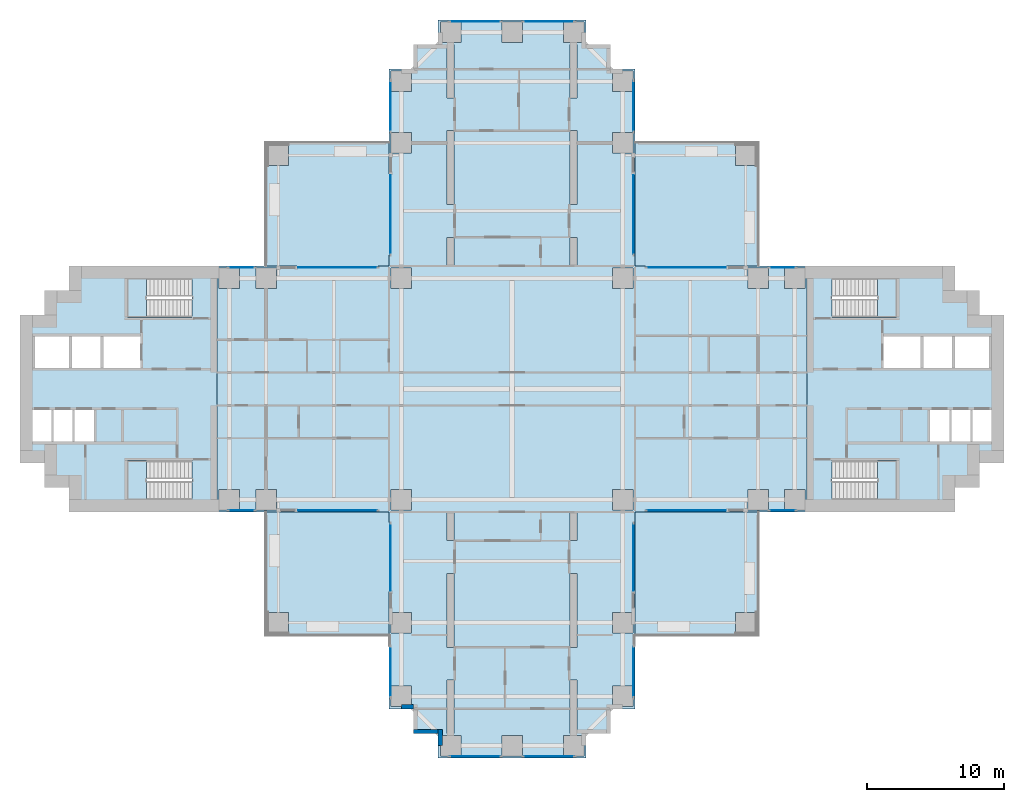
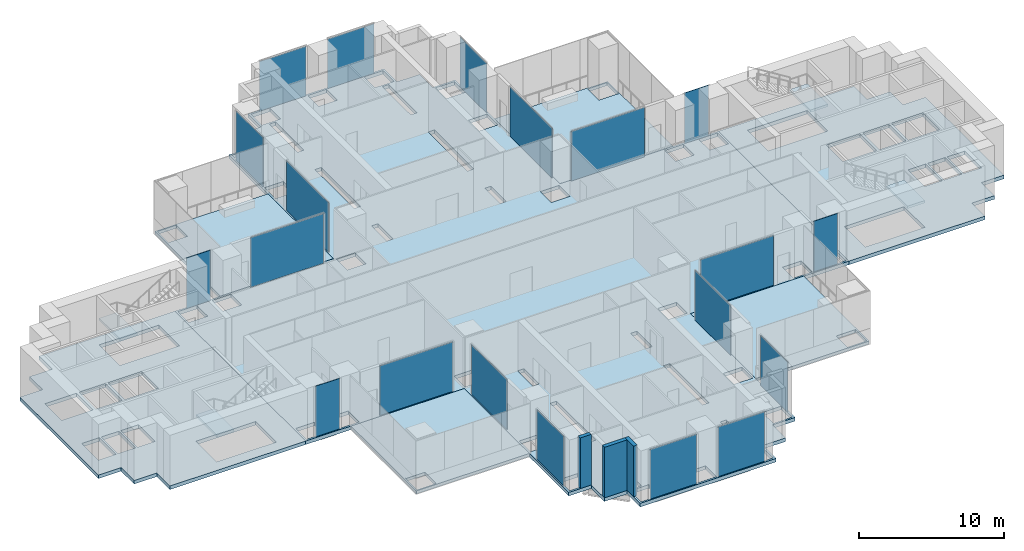
# One storey, part 6 of 15: 20 plates, 11 slabs, 3 walls, 24 elements without a shape of their own.
"""IFC4 building model written with IfcOpenShell, lengths in metres."""

from ifc_helpers import new_model, si_unit, direction, frame, frame_2d, origin, origin_2d, place, context, subcontext, project, spatial, polyline, rectangle, outline, extrude, material, layer, layer_set, type_object, element, aggregate, save


model = new_model("IFC4")

# Units and contexts
model_context = context("Model", 3, precision=1e-05, world=origin(), true_north=direction((0.0, 1.0)))
body_context = subcontext(model_context, "Body", "Model", "MODEL_VIEW")
ifc_project = project(units=[si_unit("LENGTHUNIT", "METRE"), si_unit("AREAUNIT", "SQUARE_METRE"), si_unit("VOLUMEUNIT", "CUBIC_METRE"), si_unit("PLANEANGLEUNIT", "RADIAN"), si_unit("MASSUNIT", "GRAM", prefix="KILO")], contexts=[model_context])

# Site, building, storey
site_placement = place(None, origin())
site = spatial("IfcSite", under=ifc_project, at=site_placement, CompositionType="ELEMENT")
building_placement = place(site_placement, origin())
building = spatial("IfcBuilding", under=site, at=building_placement, Name="Perihelion Cross Residences", CompositionType="ELEMENT")
storey_placement = place(building_placement, frame((0.0, 0.0, 32.0)))
storey = spatial("IfcBuildingStorey", under=building, at=storey_placement, Name="L04", CompositionType="ELEMENT", Elevation=32.0)

# Curtain wall, plate
ifc_material_1 = material(Name="Bronze anodised aluminium, tinted glazing", Category="aluminium")
curtain_wall_type = type_object("IfcCurtainWallType", Name="CW2", PredefinedType="NOTDEFINED", material=ifc_material_1)
curtain_wall_1_placement = place(storey_placement, origin())
curtain_wall_1 = element("IfcCurtainWall", 1, at=curtain_wall_1_placement, inside=storey, type_object=curtain_wall_type, Name="Curtain wall CW2 L04 east side north bay 1", PredefinedType="NOTDEFINED")
ifc_material_2 = material(Name="Tinted laminated glass", Category="glass")
ifc_layer_1 = layer(ifc_material_2, 0.033935546875)
ifc_layer_set_1 = layer_set([ifc_layer_1], Name="CW2 panel")
plate_type = type_object("IfcPlateType", Name="CW2 panel", PredefinedType="CURTAIN_PANEL", material=ifc_layer_set_1)
plate_1_placement = place(storey_placement, frame((19.800048828125, 8.889892578125, 0.0), z_axis=(0.0, 0.0, 1.0), x_axis=(-1.0, 0.0, 0.0)))
plate_1 = element("IfcPlate", 2, at=plate_1_placement, type_object=plate_type, Name="CW2 panel 1", PredefinedType="CURTAIN_PANEL", context=body_context, shape_type="SweptSolid", body=[
    extrude(rectangle(XDim=1.89990234375, YDim=0.033935546875, at=origin_2d()), origin(), (0.0, 0.0, 1.0), 4.25),
])
aggregate(curtain_wall_1, [plate_1])

curtain_wall_2_placement = place(storey_placement, origin())
curtain_wall_2 = element("IfcCurtainWall", 3, at=curtain_wall_2_placement, inside=storey, type_object=curtain_wall_type, Name="Curtain wall CW2 L04 east side north bay 2", PredefinedType="NOTDEFINED")
plate_2_placement = place(storey_placement, frame((12.75, 8.889892578125, 0.0), z_axis=(0.0, 0.0, 1.0), x_axis=(-1.0, 0.0, 0.0)))
plate_2 = element("IfcPlate", 4, at=plate_2_placement, type_object=plate_type, Name="CW2 panel 1", PredefinedType="CURTAIN_PANEL", context=body_context, shape_type="SweptSolid", body=[
    extrude(rectangle(XDim=5.800048828125, YDim=0.033935546875, at=origin_2d()), origin(), (0.0, 0.0, 1.0), 4.169921875),
])
aggregate(curtain_wall_2, [plate_2])

curtain_wall_3_placement = place(storey_placement, origin())
curtain_wall_3 = element("IfcCurtainWall", 5, at=curtain_wall_3_placement, inside=storey, type_object=curtain_wall_type, Name="Curtain wall CW2 L04 north side east bay 1", PredefinedType="NOTDEFINED")
plate_3_placement = place(storey_placement, frame((8.889892578125, 12.75, 0.0), z_axis=(0.0, 0.0, 1.0), x_axis=(0.0, 1.0, 0.0)))
plate_3 = element("IfcPlate", 6, at=plate_3_placement, type_object=plate_type, Name="CW2 panel 1", PredefinedType="CURTAIN_PANEL", context=body_context, shape_type="SweptSolid", body=[
    extrude(rectangle(XDim=5.800048828125, YDim=0.033935546875, at=origin_2d()), origin(), (0.0, 0.0, 1.0), 4.169921875),
])
aggregate(curtain_wall_3, [plate_3])

curtain_wall_4_placement = place(storey_placement, origin())
curtain_wall_4 = element("IfcCurtainWall", 7, at=curtain_wall_4_placement, inside=storey, type_object=curtain_wall_type, Name="Curtain wall CW2 L04 north side east bay 2", PredefinedType="NOTDEFINED")
plate_4_placement = place(storey_placement, frame((8.889892578125, 20.699951171875, 0.0), z_axis=(0.0, 0.0, 1.0), x_axis=(0.0, 1.0, 0.0)))
plate_4 = element("IfcPlate", 8, at=plate_4_placement, type_object=plate_type, Name="CW2 panel 1", PredefinedType="CURTAIN_PANEL", context=body_context, shape_type="SweptSolid", body=[
    extrude(rectangle(XDim=3.699951171875, YDim=0.033935546875, at=origin_2d()), origin(), (0.0, 0.0, 1.0), 4.169921875),
])
aggregate(curtain_wall_4, [plate_4])

curtain_wall_5_placement = place(storey_placement, origin())
curtain_wall_5 = element("IfcCurtainWall", 9, at=curtain_wall_5_placement, inside=storey, type_object=curtain_wall_type, Name="Curtain wall CW2 L04 north tip north bay 1", PredefinedType="NOTDEFINED")
plate_5_placement = place(storey_placement, frame((2.699951171875, 26.889892578125, 0.0), z_axis=(0.0, 0.0, 1.0), x_axis=(-1.0, 0.0, 0.0)))
plate_5 = element("IfcPlate", 10, at=plate_5_placement, type_object=plate_type, Name="CW2 panel 1", PredefinedType="CURTAIN_PANEL", context=body_context, shape_type="SweptSolid", body=[
    extrude(rectangle(XDim=3.699951171875, YDim=0.033935546875, at=origin_2d()), origin(), (0.0, 0.0, 1.0), 4.169921875),
])
aggregate(curtain_wall_5, [plate_5])

curtain_wall_6_placement = place(storey_placement, origin())
curtain_wall_6 = element("IfcCurtainWall", 11, at=curtain_wall_6_placement, inside=storey, type_object=curtain_wall_type, Name="Curtain wall CW2 L04 north tip north bay 2", PredefinedType="NOTDEFINED")
plate_6_placement = place(storey_placement, frame((-2.699951171875, 26.889892578125, 0.0), z_axis=(0.0, 0.0, 1.0), x_axis=(-1.0, 0.0, 0.0)))
plate_6 = element("IfcPlate", 12, at=plate_6_placement, type_object=plate_type, Name="CW2 panel 1", PredefinedType="CURTAIN_PANEL", context=body_context, shape_type="SweptSolid", body=[
    extrude(rectangle(XDim=3.699951171875, YDim=0.033935546875, at=origin_2d()), origin(), (0.0, 0.0, 1.0), 4.169921875),
])
aggregate(curtain_wall_6, [plate_6])

curtain_wall_7_placement = place(storey_placement, origin())
curtain_wall_7 = element("IfcCurtainWall", 13, at=curtain_wall_7_placement, inside=storey, type_object=curtain_wall_type, Name="Curtain wall CW2 L04 north side west bay 1", PredefinedType="NOTDEFINED")
plate_7_placement = place(storey_placement, frame((-8.889892578125, 20.699951171875, 0.0), z_axis=(0.0, 0.0, 1.0), x_axis=(0.0, -1.0, 0.0)))
plate_7 = element("IfcPlate", 14, at=plate_7_placement, type_object=plate_type, Name="CW2 panel 1", PredefinedType="CURTAIN_PANEL", context=body_context, shape_type="SweptSolid", body=[
    extrude(rectangle(XDim=3.699951171875, YDim=0.033935546875, at=origin_2d()), origin(), (0.0, 0.0, 1.0), 4.169921875),
])
aggregate(curtain_wall_7, [plate_7])

curtain_wall_8_placement = place(storey_placement, origin())
curtain_wall_8 = element("IfcCurtainWall", 15, at=curtain_wall_8_placement, inside=storey, type_object=curtain_wall_type, Name="Curtain wall CW2 L04 north side west bay 2", PredefinedType="NOTDEFINED")
plate_8_placement = place(storey_placement, frame((-8.889892578125, 12.75, 0.0), z_axis=(0.0, 0.0, 1.0), x_axis=(0.0, -1.0, 0.0)))
plate_8 = element("IfcPlate", 16, at=plate_8_placement, type_object=plate_type, Name="CW2 panel 1", PredefinedType="CURTAIN_PANEL", context=body_context, shape_type="SweptSolid", body=[
    extrude(rectangle(XDim=5.800048828125, YDim=0.033935546875, at=origin_2d()), origin(), (0.0, 0.0, 1.0), 4.169921875),
])
aggregate(curtain_wall_8, [plate_8])

curtain_wall_9_placement = place(storey_placement, origin())
curtain_wall_9 = element("IfcCurtainWall", 17, at=curtain_wall_9_placement, inside=storey, type_object=curtain_wall_type, Name="Curtain wall CW2 L04 west side north bay 1", PredefinedType="NOTDEFINED")
plate_9_placement = place(storey_placement, frame((-12.75, 8.889892578125, 0.0), z_axis=(0.0, 0.0, 1.0), x_axis=(-1.0, 0.0, 0.0)))
plate_9 = element("IfcPlate", 18, at=plate_9_placement, type_object=plate_type, Name="CW2 panel 1", PredefinedType="CURTAIN_PANEL", context=body_context, shape_type="SweptSolid", body=[
    extrude(rectangle(XDim=5.800048828125, YDim=0.033935546875, at=origin_2d()), origin(), (0.0, 0.0, 1.0), 4.169921875),
])
aggregate(curtain_wall_9, [plate_9])

curtain_wall_10_placement = place(storey_placement, origin())
curtain_wall_10 = element("IfcCurtainWall", 19, at=curtain_wall_10_placement, inside=storey, type_object=curtain_wall_type, Name="Curtain wall CW2 L04 west side north bay 2", PredefinedType="NOTDEFINED")
plate_10_placement = place(storey_placement, frame((-19.800048828125, 8.889892578125, 0.0), z_axis=(0.0, 0.0, 1.0), x_axis=(-1.0, 0.0, 0.0)))
plate_10 = element("IfcPlate", 20, at=plate_10_placement, type_object=plate_type, Name="CW2 panel 1", PredefinedType="CURTAIN_PANEL", context=body_context, shape_type="SweptSolid", body=[
    extrude(rectangle(XDim=1.89990234375, YDim=0.033935546875, at=origin_2d()), origin(), (0.0, 0.0, 1.0), 4.25),
])
aggregate(curtain_wall_10, [plate_10])

curtain_wall_11_placement = place(storey_placement, origin())
curtain_wall_11 = element("IfcCurtainWall", 21, at=curtain_wall_11_placement, inside=storey, type_object=curtain_wall_type, Name="Curtain wall CW2 L04 west side south bay 1", PredefinedType="NOTDEFINED")
plate_11_placement = place(storey_placement, frame((-19.800048828125, -8.889892578125, 0.0), z_axis=(0.0, 0.0, 1.0), x_axis=(1.0, 0.0, 0.0)))
plate_11 = element("IfcPlate", 22, at=plate_11_placement, type_object=plate_type, Name="CW2 panel 1", PredefinedType="CURTAIN_PANEL", context=body_context, shape_type="SweptSolid", body=[
    extrude(rectangle(XDim=1.89990234375, YDim=0.033935546875, at=origin_2d()), origin(), (0.0, 0.0, 1.0), 4.25),
])
aggregate(curtain_wall_11, [plate_11])

curtain_wall_12_placement = place(storey_placement, origin())
curtain_wall_12 = element("IfcCurtainWall", 23, at=curtain_wall_12_placement, inside=storey, type_object=curtain_wall_type, Name="Curtain wall CW2 L04 west side south bay 2", PredefinedType="NOTDEFINED")
plate_12_placement = place(storey_placement, frame((-12.75, -8.889892578125, 0.0), z_axis=(0.0, 0.0, 1.0), x_axis=(1.0, 0.0, 0.0)))
plate_12 = element("IfcPlate", 24, at=plate_12_placement, type_object=plate_type, Name="CW2 panel 1", PredefinedType="CURTAIN_PANEL", context=body_context, shape_type="SweptSolid", body=[
    extrude(rectangle(XDim=5.800048828125, YDim=0.033935546875, at=origin_2d()), origin(), (0.0, 0.0, 1.0), 4.169921875),
])
aggregate(curtain_wall_12, [plate_12])

curtain_wall_13_placement = place(storey_placement, origin())
curtain_wall_13 = element("IfcCurtainWall", 25, at=curtain_wall_13_placement, inside=storey, type_object=curtain_wall_type, Name="Curtain wall CW2 L04 south side west bay 1", PredefinedType="NOTDEFINED")
plate_13_placement = place(storey_placement, frame((-8.889892578125, -12.300048828125, 0.0), z_axis=(0.0, 0.0, 1.0), x_axis=(0.0, -1.0, 0.0)))
plate_13 = element("IfcPlate", 26, at=plate_13_placement, type_object=plate_type, Name="CW2 panel 1", PredefinedType="CURTAIN_PANEL", context=body_context, shape_type="SweptSolid", body=[
    extrude(rectangle(XDim=4.89990234375, YDim=0.033935546875, at=origin_2d()), origin(), (0.0, 0.0, 1.0), 4.169921875),
])
aggregate(curtain_wall_13, [plate_13])

curtain_wall_14_placement = place(storey_placement, origin())
curtain_wall_14 = element("IfcCurtainWall", 27, at=curtain_wall_14_placement, inside=storey, type_object=curtain_wall_type, Name="Curtain wall CW2 L04 south side west bay 2", PredefinedType="NOTDEFINED")
plate_14_placement = place(storey_placement, frame((-8.889892578125, -20.699951171875, 0.0), z_axis=(0.0, 0.0, 1.0), x_axis=(0.0, -1.0, 0.0)))
plate_14 = element("IfcPlate", 28, at=plate_14_placement, type_object=plate_type, Name="CW2 panel 1", PredefinedType="CURTAIN_PANEL", context=body_context, shape_type="SweptSolid", body=[
    extrude(rectangle(XDim=3.699951171875, YDim=0.033935546875, at=origin_2d()), origin(), (0.0, 0.0, 1.0), 4.169921875),
])
aggregate(curtain_wall_14, [plate_14])

curtain_wall_15_placement = place(storey_placement, origin())
curtain_wall_15 = element("IfcCurtainWall", 29, at=curtain_wall_15_placement, inside=storey, type_object=curtain_wall_type, Name="Curtain wall CW2 L04 south tip south bay 1", PredefinedType="NOTDEFINED")
plate_15_placement = place(storey_placement, frame((-2.699951171875, -26.889892578125, 0.0), z_axis=(0.0, 0.0, 1.0), x_axis=(1.0, 0.0, 0.0)))
plate_15 = element("IfcPlate", 30, at=plate_15_placement, type_object=plate_type, Name="CW2 panel 1", PredefinedType="CURTAIN_PANEL", context=body_context, shape_type="SweptSolid", body=[
    extrude(rectangle(XDim=3.699951171875, YDim=0.033935546875, at=origin_2d()), origin(), (0.0, 0.0, 1.0), 4.169921875),
])
aggregate(curtain_wall_15, [plate_15])

curtain_wall_16_placement = place(storey_placement, origin())
curtain_wall_16 = element("IfcCurtainWall", 31, at=curtain_wall_16_placement, inside=storey, type_object=curtain_wall_type, Name="Curtain wall CW2 L04 south tip south bay 2", PredefinedType="NOTDEFINED")
plate_16_placement = place(storey_placement, frame((2.699951171875, -26.889892578125, 0.0), z_axis=(0.0, 0.0, 1.0), x_axis=(1.0, 0.0, 0.0)))
plate_16 = element("IfcPlate", 32, at=plate_16_placement, type_object=plate_type, Name="CW2 panel 1", PredefinedType="CURTAIN_PANEL", context=body_context, shape_type="SweptSolid", body=[
    extrude(rectangle(XDim=3.699951171875, YDim=0.033935546875, at=origin_2d()), origin(), (0.0, 0.0, 1.0), 4.169921875),
])
aggregate(curtain_wall_16, [plate_16])

curtain_wall_17_placement = place(storey_placement, origin())
curtain_wall_17 = element("IfcCurtainWall", 33, at=curtain_wall_17_placement, inside=storey, type_object=curtain_wall_type, Name="Curtain wall CW2 L04 south side east bay 1", PredefinedType="NOTDEFINED")
plate_17_placement = place(storey_placement, frame((8.889892578125, -20.699951171875, 0.0), z_axis=(0.0, 0.0, 1.0), x_axis=(0.0, 1.0, 0.0)))
plate_17 = element("IfcPlate", 34, at=plate_17_placement, type_object=plate_type, Name="CW2 panel 1", PredefinedType="CURTAIN_PANEL", context=body_context, shape_type="SweptSolid", body=[
    extrude(rectangle(XDim=3.699951171875, YDim=0.033935546875, at=origin_2d()), origin(), (0.0, 0.0, 1.0), 4.169921875),
])
aggregate(curtain_wall_17, [plate_17])

curtain_wall_18_placement = place(storey_placement, origin())
curtain_wall_18 = element("IfcCurtainWall", 35, at=curtain_wall_18_placement, inside=storey, type_object=curtain_wall_type, Name="Curtain wall CW2 L04 south side east bay 2", PredefinedType="NOTDEFINED")
plate_18_placement = place(storey_placement, frame((8.889892578125, -12.300048828125, 0.0), z_axis=(0.0, 0.0, 1.0), x_axis=(0.0, 1.0, 0.0)))
plate_18 = element("IfcPlate", 36, at=plate_18_placement, type_object=plate_type, Name="CW2 panel 1", PredefinedType="CURTAIN_PANEL", context=body_context, shape_type="SweptSolid", body=[
    extrude(rectangle(XDim=4.89990234375, YDim=0.033935546875, at=origin_2d()), origin(), (0.0, 0.0, 1.0), 4.169921875),
])
aggregate(curtain_wall_18, [plate_18])

curtain_wall_19_placement = place(storey_placement, origin())
curtain_wall_19 = element("IfcCurtainWall", 37, at=curtain_wall_19_placement, inside=storey, type_object=curtain_wall_type, Name="Curtain wall CW2 L04 east side south bay 1", PredefinedType="NOTDEFINED")
plate_19_placement = place(storey_placement, frame((12.75, -8.889892578125, 0.0), z_axis=(0.0, 0.0, 1.0), x_axis=(1.0, 0.0, 0.0)))
plate_19 = element("IfcPlate", 38, at=plate_19_placement, type_object=plate_type, Name="CW2 panel 1", PredefinedType="CURTAIN_PANEL", context=body_context, shape_type="SweptSolid", body=[
    extrude(rectangle(XDim=5.800048828125, YDim=0.033935546875, at=origin_2d()), origin(), (0.0, 0.0, 1.0), 4.169921875),
])
aggregate(curtain_wall_19, [plate_19])

curtain_wall_20_placement = place(storey_placement, origin())
curtain_wall_20 = element("IfcCurtainWall", 39, at=curtain_wall_20_placement, inside=storey, type_object=curtain_wall_type, Name="Curtain wall CW2 L04 east side south bay 2", PredefinedType="NOTDEFINED")
plate_20_placement = place(storey_placement, frame((19.800048828125, -8.889892578125, 0.0), z_axis=(0.0, 0.0, 1.0), x_axis=(1.0, 0.0, 0.0)))
plate_20 = element("IfcPlate", 40, at=plate_20_placement, type_object=plate_type, Name="CW2 panel 1", PredefinedType="CURTAIN_PANEL", context=body_context, shape_type="SweptSolid", body=[
    extrude(rectangle(XDim=1.89990234375, YDim=0.033935546875, at=origin_2d()), origin(), (0.0, 0.0, 1.0), 4.25),
])
aggregate(curtain_wall_20, [plate_20])

# Slabs
ifc_material_3 = material(Name="Concrete C40/50", Category="concrete")
ifc_layer_2 = layer(ifc_material_3, 0.300048828125)
ifc_layer_set_2 = layer_set([ifc_layer_2], Name="Core floor slab 300")
slab_type_1 = type_object("IfcSlabType", Name="Core floor slab 300", PredefinedType="FLOOR", material=ifc_layer_set_2)
slab_1_placement = place(storey_placement, frame((0.0, 0.0, -0.300048828125)))
element("IfcSlab", 41, at=slab_1_placement, inside=storey, type_object=slab_type_1, Name="East core floor slab", PredefinedType="FLOOR", context=body_context, shape_type="SweptSolid", body=[
    extrude(outline(polyline([(32.39990234375, 7.199951171875), (34.199951171875, 7.199951171875), (34.199951171875, 5.39990234375), (36.0, 5.39990234375), (36.0, -5.39990234375), (34.199951171875, -5.39990234375), (34.199951171875, -7.199951171875), (32.39990234375, -7.199951171875), (32.39990234375, -9.0), (21.60009765625, -9.0), (21.60009765625, 9.0), (32.39990234375, 9.0), (32.39990234375, 7.199951171875)]), holes=[polyline([(23.405029296875, -8.10009765625), (28.14990234375, -8.10009765625), (28.14990234375, -5.25), (23.405029296875, -5.25), (23.405029296875, -8.10009765625)]), polyline([(30.60009765625, -1.550048828125), (30.60009765625, -3.85009765625), (32.0, -3.85009765625), (32.0, -1.550048828125), (30.60009765625, -1.550048828125)]), polyline([(32.14990234375, -1.550048828125), (32.14990234375, -3.85009765625), (33.550048828125, -3.85009765625), (33.550048828125, -1.550048828125), (32.14990234375, -1.550048828125)]), polyline([(33.699951171875, -1.550048828125), (33.699951171875, -3.85009765625), (35.10009765625, -3.85009765625), (35.10009765625, -1.550048828125), (33.699951171875, -1.550048828125)]), polyline([(27.199951171875, 3.85009765625), (27.199951171875, 1.550048828125), (29.89990234375, 1.550048828125), (29.89990234375, 3.85009765625), (27.199951171875, 3.85009765625)]), polyline([(30.10009765625, 3.85009765625), (30.10009765625, 1.550048828125), (32.199951171875, 1.550048828125), (32.199951171875, 3.85009765625), (30.10009765625, 3.85009765625)]), polyline([(32.39990234375, 3.85009765625), (32.39990234375, 1.550048828125), (34.89990234375, 1.550048828125), (34.89990234375, 3.85009765625), (32.39990234375, 3.85009765625)]), polyline([(23.405029296875, 5.25), (28.14990234375, 5.25), (28.14990234375, 8.10009765625), (23.405029296875, 8.10009765625), (23.405029296875, 5.25)])]), origin(), (0.0, 0.0, 1.0), 0.300048828125),
])
slab_2_placement = place(storey_placement, frame((0.0, 0.0, -0.300048828125)))
element("IfcSlab", 42, at=slab_2_placement, inside=storey, type_object=slab_type_1, Name="West core floor slab", PredefinedType="FLOOR", context=body_context, shape_type="SweptSolid", body=[
    extrude(outline(polyline([(-32.39990234375, 7.199951171875), (-34.199951171875, 7.199951171875), (-34.199951171875, 5.39990234375), (-36.0, 5.39990234375), (-36.0, -5.39990234375), (-34.199951171875, -5.39990234375), (-34.199951171875, -7.199951171875), (-32.39990234375, -7.199951171875), (-32.39990234375, -9.0), (-21.60009765625, -9.0), (-21.60009765625, 9.0), (-32.39990234375, 9.0), (-32.39990234375, 7.199951171875)]), holes=[polyline([(-23.405029296875, -8.10009765625), (-28.14990234375, -8.10009765625), (-28.14990234375, -5.25), (-23.405029296875, -5.25), (-23.405029296875, -8.10009765625)]), polyline([(-30.60009765625, -1.550048828125), (-30.60009765625, -3.85009765625), (-32.0, -3.85009765625), (-32.0, -1.550048828125), (-30.60009765625, -1.550048828125)]), polyline([(-32.14990234375, -1.550048828125), (-32.14990234375, -3.85009765625), (-33.550048828125, -3.85009765625), (-33.550048828125, -1.550048828125), (-32.14990234375, -1.550048828125)]), polyline([(-33.699951171875, -1.550048828125), (-33.699951171875, -3.85009765625), (-35.10009765625, -3.85009765625), (-35.10009765625, -1.550048828125), (-33.699951171875, -1.550048828125)]), polyline([(-27.199951171875, 3.85009765625), (-27.199951171875, 1.550048828125), (-29.89990234375, 1.550048828125), (-29.89990234375, 3.85009765625), (-27.199951171875, 3.85009765625)]), polyline([(-30.10009765625, 3.85009765625), (-30.10009765625, 1.550048828125), (-32.199951171875, 1.550048828125), (-32.199951171875, 3.85009765625), (-30.10009765625, 3.85009765625)]), polyline([(-32.39990234375, 3.85009765625), (-32.39990234375, 1.550048828125), (-34.89990234375, 1.550048828125), (-34.89990234375, 3.85009765625), (-32.39990234375, 3.85009765625)]), polyline([(-23.405029296875, 5.25), (-28.14990234375, 5.25), (-28.14990234375, 8.10009765625), (-23.405029296875, 8.10009765625), (-23.405029296875, 5.25)])]), origin(), (0.0, 0.0, 1.0), 0.300048828125),
])
ifc_material_4 = material(Name="Concrete C40/50", Category="concrete")
ifc_layer_3 = layer(ifc_material_4, 0.25)
ifc_layer_set_3 = layer_set([ifc_layer_3], Name="Corner terrace slab")
slab_type_2 = type_object("IfcSlabType", Name="Corner terrace slab", PredefinedType="FLOOR", material=ifc_layer_set_3)
slab_3_placement = place(storey_placement, frame((0.0, 0.0, -0.25)))
element("IfcSlab", 43, at=slab_3_placement, inside=storey, type_object=slab_type_2, Name="Slab BK2 L04 pocket north-east", PredefinedType="FLOOR", context=body_context, shape_type="SweptSolid", body=[
    extrude(outline(polyline([(18.0, 9.0), (18.0, 18.0), (9.0, 18.0), (9.0, 9.0), (18.0, 9.0)]), holes=[polyline([(16.35009765625, 16.35009765625), (16.35009765625, 17.889892578125), (17.889892578125, 17.889892578125), (17.889892578125, 16.31005859375), (17.85009765625, 16.31005859375), (17.85009765625, 16.35009765625), (16.35009765625, 16.35009765625)])]), origin(), (0.0, 0.0, 1.0), 0.25),
])
slab_4_placement = place(storey_placement, frame((0.0, 0.0, -0.25)))
element("IfcSlab", 44, at=slab_4_placement, inside=storey, type_object=slab_type_2, Name="Slab BK2 L04 pocket north-west", PredefinedType="FLOOR", context=body_context, shape_type="SweptSolid", body=[
    extrude(outline(polyline([(-9.0, 9.0), (-9.0, 18.0), (-18.0, 18.0), (-18.0, 9.0), (-9.0, 9.0)]), holes=[polyline([(-17.85009765625, 16.31005859375), (-17.889892578125, 16.31005859375), (-17.889892578125, 17.889892578125), (-16.35009765625, 17.889892578125), (-16.35009765625, 16.35009765625), (-17.85009765625, 16.35009765625), (-17.85009765625, 16.31005859375)])]), origin(), (0.0, 0.0, 1.0), 0.25),
])
slab_5_placement = place(storey_placement, frame((0.0, 0.0, -0.25)))
element("IfcSlab", 45, at=slab_5_placement, inside=storey, type_object=slab_type_2, Name="Slab BK2 L04 pocket south-west", PredefinedType="FLOOR", context=body_context, shape_type="SweptSolid", body=[
    extrude(outline(polyline([(-9.0, -18.0), (-9.0, -9.0), (-18.0, -9.0), (-18.0, -18.0), (-9.0, -18.0)]), holes=[polyline([(-16.35009765625, -17.889892578125), (-17.889892578125, -17.889892578125), (-17.889892578125, -16.31005859375), (-17.85009765625, -16.31005859375), (-17.85009765625, -16.35009765625), (-16.35009765625, -16.35009765625), (-16.35009765625, -17.889892578125)])]), origin(), (0.0, 0.0, 1.0), 0.25),
])
slab_6_placement = place(storey_placement, frame((0.0, 0.0, -0.25)))
element("IfcSlab", 46, at=slab_6_placement, inside=storey, type_object=slab_type_2, Name="Slab BK2 L04 pocket south-east", PredefinedType="FLOOR", context=body_context, shape_type="SweptSolid", body=[
    extrude(outline(polyline([(18.0, -18.0), (18.0, -9.0), (9.0, -9.0), (9.0, -18.0), (18.0, -18.0)]), holes=[polyline([(16.35009765625, -17.889892578125), (16.35009765625, -16.35009765625), (17.85009765625, -16.35009765625), (17.85009765625, -16.31005859375), (17.889892578125, -16.31005859375), (17.889892578125, -17.889892578125), (16.35009765625, -17.889892578125)])]), origin(), (0.0, 0.0, 1.0), 0.25),
])

# Stair, slab
ifc_material_5 = material(Name="Concrete C40/50", Category="concrete")
stair_type = type_object("IfcStairType", Name="Exit stair, half-turn", PredefinedType="HALF_TURN_STAIR", material=ifc_material_5)
stair_1_placement = place(storey_placement, origin())
stair_1 = element("IfcStair", 47, at=stair_1_placement, inside=storey, type_object=stair_type, Name="L04 East core exit stair 1", PredefinedType="HALF_TURN_STAIR")
ifc_material_6 = material(Name="Concrete C40/50", Category="concrete")
ifc_layer_4 = layer(ifc_material_6, 0.199951171875)
ifc_layer_set_4 = layer_set([ifc_layer_4], Name="Exit stair landing 200")
slab_type_3 = type_object("IfcSlabType", Name="Exit stair landing 200", PredefinedType="LANDING", material=ifc_layer_set_4)
slab_7_placement = place(storey_placement, frame((0.0, 0.0, 2.050048828125)))
slab_7 = element("IfcSlab", 48, at=slab_7_placement, type_object=slab_type_3, Name="ST-E1 landing 1", PredefinedType="LANDING", context=body_context, shape_type="SweptSolid", body=[
    extrude(outline(polyline([(26.760009765625, 5.25), (28.14990234375, 5.25), (28.14990234375, 8.10009765625), (26.760009765625, 8.10009765625), (26.760009765625, 5.25)])), origin(), (0.0, 0.0, 1.0), 0.199951171875),
])
aggregate(stair_1, [slab_7])

stair_2_placement = place(storey_placement, origin())
stair_2 = element("IfcStair", 49, at=stair_2_placement, inside=storey, type_object=stair_type, Name="L04 East core exit stair 2", PredefinedType="HALF_TURN_STAIR")
slab_8_placement = place(storey_placement, frame((0.0, 0.0, 2.050048828125)))
slab_8 = element("IfcSlab", 50, at=slab_8_placement, type_object=slab_type_3, Name="ST-E2 landing 1", PredefinedType="LANDING", context=body_context, shape_type="SweptSolid", body=[
    extrude(outline(polyline([(26.760009765625, -8.10009765625), (28.14990234375, -8.10009765625), (28.14990234375, -5.25), (26.760009765625, -5.25), (26.760009765625, -8.10009765625)])), origin(), (0.0, 0.0, 1.0), 0.199951171875),
])
aggregate(stair_2, [slab_8])

stair_3_placement = place(storey_placement, origin())
stair_3 = element("IfcStair", 51, at=stair_3_placement, inside=storey, type_object=stair_type, Name="L04 West core exit stair 1", PredefinedType="HALF_TURN_STAIR")
slab_9_placement = place(storey_placement, frame((0.0, 0.0, 2.050048828125)))
slab_9 = element("IfcSlab", 52, at=slab_9_placement, type_object=slab_type_3, Name="ST-W1 landing 1", PredefinedType="LANDING", context=body_context, shape_type="SweptSolid", body=[
    extrude(outline(polyline([(-26.760009765625, 8.10009765625), (-28.14990234375, 8.10009765625), (-28.14990234375, 5.25), (-26.760009765625, 5.25), (-26.760009765625, 8.10009765625)])), origin(), (0.0, 0.0, 1.0), 0.199951171875),
])
aggregate(stair_3, [slab_9])

stair_4_placement = place(storey_placement, origin())
stair_4 = element("IfcStair", 53, at=stair_4_placement, inside=storey, type_object=stair_type, Name="L04 West core exit stair 2", PredefinedType="HALF_TURN_STAIR")
slab_10_placement = place(storey_placement, frame((0.0, 0.0, 2.050048828125)))
slab_10 = element("IfcSlab", 54, at=slab_10_placement, type_object=slab_type_3, Name="ST-W2 landing 1", PredefinedType="LANDING", context=body_context, shape_type="SweptSolid", body=[
    extrude(outline(polyline([(-26.760009765625, -5.25), (-28.14990234375, -5.25), (-28.14990234375, -8.10009765625), (-26.760009765625, -8.10009765625), (-26.760009765625, -5.25)])), origin(), (0.0, 0.0, 1.0), 0.199951171875),
])
aggregate(stair_4, [slab_10])

# Slab
ifc_material_7 = material(Name="Concrete C50/60", Category="concrete")
ifc_layer_5 = layer(ifc_material_7, 0.300048828125)
ifc_layer_set_5 = layer_set([ifc_layer_5], Name="Podium post-tensioned slab concrete C50/60")
slab_type_4 = type_object("IfcSlabType", Name="Podium post-tensioned slab concrete C50/60", PredefinedType="FLOOR", material=ifc_layer_set_5)
slab_11_placement = place(storey_placement, frame((0.0, 0.0, -0.300048828125)))
element("IfcSlab", 55, at=slab_11_placement, inside=storey, type_object=slab_type_4, Name="Slab SL6 L04 1 no. 1", PredefinedType="FLOOR", context=body_context, shape_type="SweptSolid", body=[
    extrude(outline(polyline([(-9.0, 9.0), (-9.0, 23.39990234375), (-7.199951171875, 23.39990234375), (-7.199951171875, 25.199951171875), (-5.39990234375, 25.199951171875), (-5.39990234375, 27.0), (5.39990234375, 27.0), (5.39990234375, 25.199951171875), (7.199951171875, 25.199951171875), (7.199951171875, 23.39990234375), (9.0, 23.39990234375), (9.0, 9.0), (21.60009765625, 9.0), (21.60009765625, -9.0), (9.0, -9.0), (9.0, -23.39990234375), (7.199951171875, -23.39990234375), (7.199951171875, -25.199951171875), (5.39990234375, -25.199951171875), (5.39990234375, -27.0), (-5.39990234375, -27.0), (-5.39990234375, -25.199951171875), (-7.199951171875, -25.199951171875), (-7.199951171875, -23.39990234375), (-9.0, -23.39990234375), (-9.0, -9.0), (-21.60009765625, -9.0), (-21.60009765625, 9.0), (-9.0, 9.0)]), holes=[polyline([(0.75, -26.85009765625), (0.75, -25.35009765625), (-0.75, -25.35009765625), (-0.75, -26.85009765625), (0.75, -26.85009765625)]), polyline([(-3.75, -26.85009765625), (-3.75, -25.35009765625), (-5.25, -25.35009765625), (-5.25, -26.85009765625), (-3.75, -26.85009765625)]), polyline([(-4.25, -25.199951171875), (-4.25, -21.300048828125), (-4.75, -21.300048828125), (-4.75, -25.199951171875), (-4.25, -25.199951171875)]), polyline([(-8.85009765625, -23.25), (-7.35009765625, -23.25), (-7.35009765625, -21.75), (-8.85009765625, -21.75), (-8.85009765625, -23.25)]), polyline([(-8.85009765625, -17.85009765625), (-7.35009765625, -17.85009765625), (-7.35009765625, -16.35009765625), (-8.85009765625, -16.35009765625), (-8.85009765625, -17.85009765625)]), polyline([(-4.25, -18.89990234375), (-4.25, -13.5), (-4.75, -13.5), (-4.75, -18.89990234375), (-4.25, -18.89990234375)]), polyline([(-4.25, -11.10009765625), (-4.25, -9.0), (-4.75, -9.0), (-4.75, -11.10009765625), (-4.25, -11.10009765625)]), polyline([(-7.35009765625, -8.85009765625), (-7.35009765625, -7.35009765625), (-8.85009765625, -7.35009765625), (-8.85009765625, -8.85009765625), (-7.35009765625, -8.85009765625)]), polyline([(-18.75, -8.85009765625), (-17.25, -8.85009765625), (-17.25, -7.35009765625), (-18.75, -7.35009765625), (-18.75, -8.85009765625)]), polyline([(-21.449951171875, -8.85009765625), (-19.949951171875, -8.85009765625), (-19.949951171875, -7.35009765625), (-21.449951171875, -7.35009765625), (-21.449951171875, -8.85009765625)]), polyline([(-17.25, 7.35009765625), (-17.25, 8.85009765625), (-18.75, 8.85009765625), (-18.75, 7.35009765625), (-17.25, 7.35009765625)]), polyline([(-7.35009765625, 7.35009765625), (-7.35009765625, 8.85009765625), (-8.85009765625, 8.85009765625), (-8.85009765625, 7.35009765625), (-7.35009765625, 7.35009765625)]), polyline([(-21.449951171875, 7.35009765625), (-19.949951171875, 7.35009765625), (-19.949951171875, 8.85009765625), (-21.449951171875, 8.85009765625), (-21.449951171875, 7.35009765625)]), polyline([(-4.75, 9.0), (-4.25, 9.0), (-4.25, 11.10009765625), (-4.75, 11.10009765625), (-4.75, 9.0)]), polyline([(-4.25, 13.5), (-4.25, 18.89990234375), (-4.75, 18.89990234375), (-4.75, 13.5), (-4.25, 13.5)]), polyline([(-7.35009765625, 17.25), (-7.35009765625, 18.75), (-8.85009765625, 18.75), (-8.85009765625, 17.25), (-7.35009765625, 17.25)]), polyline([(-7.35009765625, 21.75), (-7.35009765625, 23.25), (-8.85009765625, 23.25), (-8.85009765625, 21.75), (-7.35009765625, 21.75)]), polyline([(-4.75, 21.300048828125), (-4.25, 21.300048828125), (-4.25, 25.199951171875), (-4.75, 25.199951171875), (-4.75, 21.300048828125)]), polyline([(-5.25, 25.35009765625), (-3.75, 25.35009765625), (-3.75, 26.85009765625), (-5.25, 26.85009765625), (-5.25, 25.35009765625)]), polyline([(5.25, -26.85009765625), (5.25, -25.35009765625), (3.75, -25.35009765625), (3.75, -26.85009765625), (5.25, -26.85009765625)]), polyline([(4.75, -25.199951171875), (4.75, -21.300048828125), (4.25, -21.300048828125), (4.25, -25.199951171875), (4.75, -25.199951171875)]), polyline([(8.85009765625, -23.25), (8.85009765625, -21.75), (7.35009765625, -21.75), (7.35009765625, -23.25), (8.85009765625, -23.25)]), polyline([(7.35009765625, -17.85009765625), (8.85009765625, -17.85009765625), (8.85009765625, -16.35009765625), (7.35009765625, -16.35009765625), (7.35009765625, -17.85009765625)]), polyline([(4.25, -18.89990234375), (4.75, -18.89990234375), (4.75, -13.5), (4.25, -13.5), (4.25, -18.89990234375)]), polyline([(4.75, -11.10009765625), (4.75, -9.0), (4.25, -9.0), (4.25, -11.10009765625), (4.75, -11.10009765625)]), polyline([(18.75, -8.85009765625), (18.75, -7.35009765625), (17.25, -7.35009765625), (17.25, -8.85009765625), (18.75, -8.85009765625)]), polyline([(21.449951171875, -8.85009765625), (21.449951171875, -7.35009765625), (19.949951171875, -7.35009765625), (19.949951171875, -8.85009765625), (21.449951171875, -8.85009765625)]), polyline([(7.35009765625, -8.85009765625), (8.85009765625, -8.85009765625), (8.85009765625, -7.35009765625), (7.35009765625, -7.35009765625), (7.35009765625, -8.85009765625)]), polyline([(21.449951171875, 7.35009765625), (21.449951171875, 8.85009765625), (19.949951171875, 8.85009765625), (19.949951171875, 7.35009765625), (21.449951171875, 7.35009765625)]), polyline([(8.85009765625, 7.35009765625), (8.85009765625, 8.85009765625), (7.35009765625, 8.85009765625), (7.35009765625, 7.35009765625), (8.85009765625, 7.35009765625)]), polyline([(18.75, 7.35009765625), (18.75, 8.85009765625), (17.25, 8.85009765625), (17.25, 7.35009765625), (18.75, 7.35009765625)]), polyline([(4.25, 9.0), (4.75, 9.0), (4.75, 11.10009765625), (4.25, 11.10009765625), (4.25, 9.0)]), polyline([(4.25, 13.5), (4.75, 13.5), (4.75, 18.89990234375), (4.25, 18.89990234375), (4.25, 13.5)]), polyline([(8.85009765625, 17.25), (8.85009765625, 18.75), (7.35009765625, 18.75), (7.35009765625, 17.25), (8.85009765625, 17.25)]), polyline([(8.85009765625, 21.75), (8.85009765625, 23.25), (7.35009765625, 23.25), (7.35009765625, 21.75), (8.85009765625, 21.75)]), polyline([(4.75, 21.300048828125), (4.75, 25.199951171875), (4.25, 25.199951171875), (4.25, 21.300048828125), (4.75, 21.300048828125)]), polyline([(-0.75, 25.35009765625), (0.75, 25.35009765625), (0.75, 26.85009765625), (-0.75, 26.85009765625), (-0.75, 25.35009765625)]), polyline([(3.75, 25.35009765625), (5.25, 25.35009765625), (5.25, 26.85009765625), (3.75, 26.85009765625), (3.75, 25.35009765625)])]), origin(), (0.0, 0.0, 1.0), 0.300048828125),
])

# Walls
ifc_material_8 = material(Name="Concrete C30/37, bronze-clad", Category="concrete")
ifc_layer_6 = layer(ifc_material_8, 0.300048828125)
ifc_layer_set_6 = layer_set([ifc_layer_6], Name="Bronze-clad serration wall 300")
wall_type = type_object("IfcWallType", Name="Bronze-clad serration wall 300", PredefinedType="SOLIDWALL", material=ifc_layer_set_6)
wall_1_placement = place(storey_placement, frame((-8.080078125, -23.25, 0.0), z_axis=(0.0, 0.0, 1.0), x_axis=(1.0, 0.0, 0.0)))
element("IfcWall", 56, at=wall_1_placement, inside=storey, type_object=wall_type, Name="Wall SR1 L04 south corner south-west 1", PredefinedType="SOLIDWALL", context=body_context, shape_type="SweptSolid", body=[
    extrude(rectangle(XDim=0.880126953125, YDim=0.300048828125, at=frame_2d((0.43994140625, 0.0))), origin(), (0.0, 0.0, 1.0), 4.25),
])
wall_2_placement = place(storey_placement, frame((-7.199951171875, -25.050048828125, 0.0), z_axis=(0.0, 0.0, 1.0), x_axis=(1.0, 0.0, 0.0)))
element("IfcWall", 57, at=wall_2_placement, inside=storey, type_object=wall_type, Name="Wall SR1 L04 south corner south-west 3", PredefinedType="SOLIDWALL", context=body_context, shape_type="SweptSolid", body=[
    extrude(rectangle(XDim=1.800048828125, YDim=0.300048828125, at=frame_2d((0.89990234375, 0.0))), origin(), (0.0, 0.0, 1.0), 4.25),
])
wall_3_placement = place(storey_placement, frame((-5.25, -24.89990234375, 0.0), z_axis=(0.0, 0.0, 1.0), x_axis=(0.0, -1.0, 0.0)))
element("IfcWall", 58, at=wall_3_placement, inside=storey, type_object=wall_type, Name="Wall SR1 L04 south corner south-west 4", PredefinedType="SOLIDWALL", context=body_context, shape_type="SweptSolid", body=[
    extrude(rectangle(XDim=1.18017578125, YDim=0.300048828125, at=frame_2d((0.590087890625, 0.0))), origin(), (0.0, 0.0, 1.0), 4.25),
])

save(model, "model.ifc")
